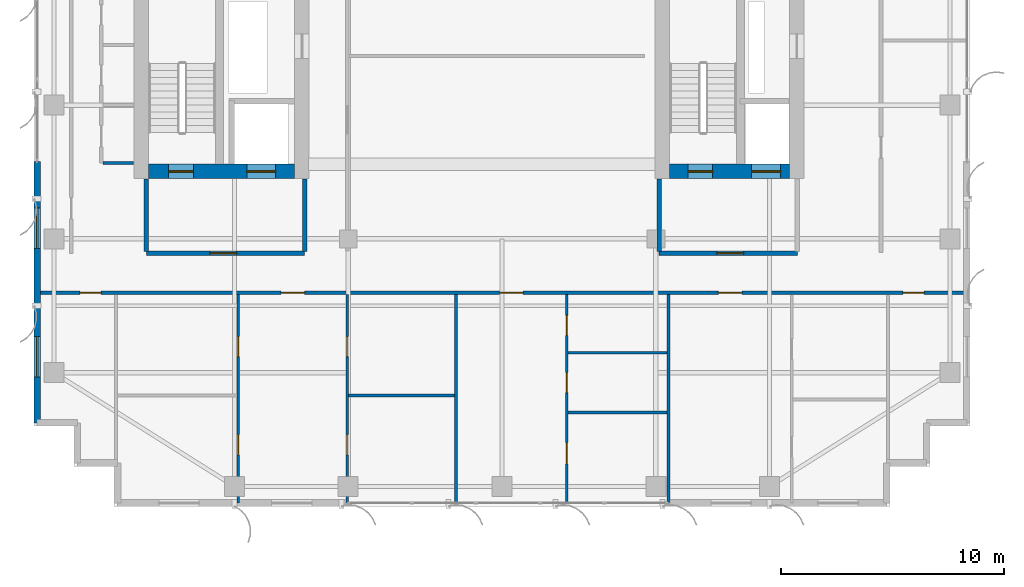
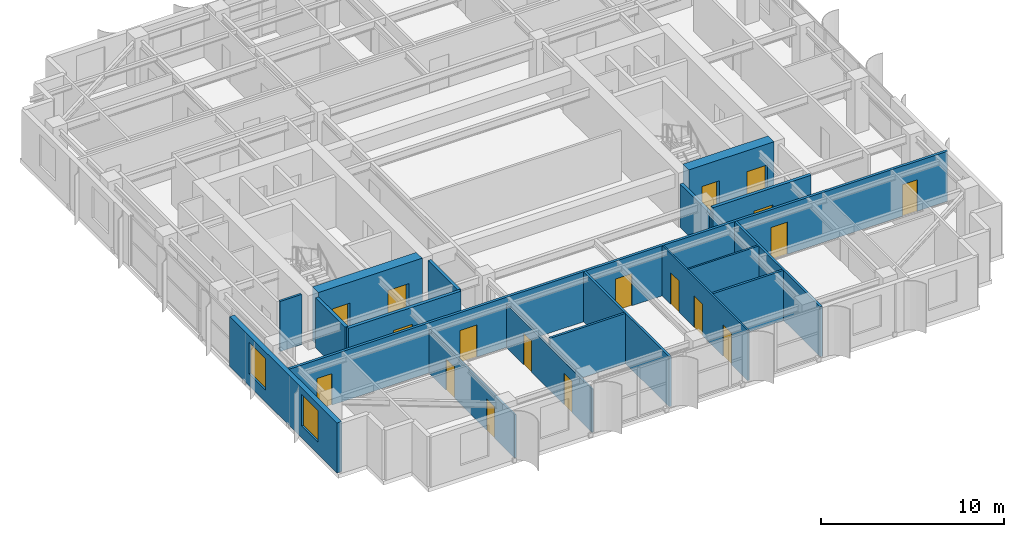
# One storey, part 19 of 25: 18 doors, 18 walls, 2 windows, 20 openings.
"""IFC4 building model written with IfcOpenShell, lengths in metres."""

from ifc_helpers import new_model, si_unit, direction, frame, frame_2d, origin, place, context, subcontext, project, spatial, rectangle, extrude, source, transform, mapped, material, layer, layer_set, type_object, element, fill, save


model = new_model("IFC4")

# Units and contexts
model_context = context("Model", 3, precision=1e-05, world=origin(), true_north=direction((0.0, 1.0)))
body_context = subcontext(model_context, "Body", "Model", "MODEL_VIEW")
ifc_project = project(units=[si_unit("LENGTHUNIT", "METRE"), si_unit("AREAUNIT", "SQUARE_METRE"), si_unit("VOLUMEUNIT", "CUBIC_METRE"), si_unit("PLANEANGLEUNIT", "RADIAN"), si_unit("MASSUNIT", "GRAM", prefix="KILO")], contexts=[model_context])

# Site, building, storey
site_placement = place(None, origin())
site = spatial("IfcSite", under=ifc_project, at=site_placement, CompositionType="ELEMENT")
building_placement = place(site_placement, origin())
building = spatial("IfcBuilding", under=site, at=building_placement, Name="Khoralis Quay Care Tower", CompositionType="ELEMENT")
storey_placement = place(building_placement, frame((0.0, 0.0, 166.5)))
storey = spatial("IfcBuildingStorey", under=building, at=storey_placement, Name="L43", CompositionType="ELEMENT", Elevation=166.5)

# Wall, opening, door
ifc_material_1 = material(Name="Gypsum plasterboard on acoustic metal stud")
ifc_layer_1 = layer(ifc_material_1, 0.199951171875)
ifc_layer_set_1 = layer_set([ifc_layer_1], Name="Gypsum plasterboard on acoustic metal stud")
wall_type_1 = type_object("IfcWallType", Name="WL-COMP-200", PredefinedType="PARTITIONING", material=ifc_layer_set_1)
wall_1_placement = place(storey_placement, frame((8.050048828125, 11.35009765625, 0.0), z_axis=(0.0, 0.0, 1.0), x_axis=(1.0, 0.0, 0.0)))
wall_1 = element("IfcWall", 1, at=wall_1_placement, inside=storey, type_object=wall_type_1, Name="L43 West Firefighting Lobby South Wall", PredefinedType="PARTITIONING", context=body_context, shape_type="SweptSolid", body=[
    extrude(rectangle(XDim=7.099853515625, YDim=0.199951171875, at=frame_2d((3.5498046875, 0.0))), origin(), (0.0, 0.0, 1.0), 3.340087890625),
])
opening_1_placement = place(wall_1_placement, frame((2.846435546875, 0.0, 0.0)))
opening_1 = element("IfcOpeningElement", 2, at=opening_1_placement, cuts=wall_1, Name="Opening FD1", PredefinedType="OPENING", context=body_context, shape_type="SweptSolid", body=[
    extrude(rectangle(XDim=1.199951171875, YDim=2.199951171875, at=frame_2d((0.60009765625, 1.10009765625))), frame((0.0, 0.10986328125, 0.0), z_axis=(0.0, -1.0, 0.0), x_axis=(1.0, 0.0, 0.0)), (0.0, 0.0, 1.0), 0.219970703125),
])
ifc_material_2 = material(Name="Fire-rated painted steel", Category="steel")
door_type_1 = type_object("IfcDoorType", Name="DR-FFL-1200X2200", OperationType="NOTDEFINED", PredefinedType="DOOR", material=ifc_material_2)
shared_shape_1 = source(origin(), body_context, "Body", "SweptSolid", [
    extrude(rectangle(XDim=1.199951171875, YDim=2.199951171875, at=frame_2d((0.60009765625, 1.10009765625))), frame((0.0, 0.02490234375, 0.0), z_axis=(0.0, -1.0, 0.0), x_axis=(1.0, 0.0, 0.0)), (0.0, 0.0, 1.0), 0.050048828125),
])
door_1_placement = place(opening_1_placement, origin())
door_1 = element("IfcDoor", 3, at=door_1_placement, inside=storey, type_object=door_type_1, Name="L43 West Firefighting Lobby Fire Door", OperationType="SINGLE_SWING_LEFT", OverallHeight=2.199951171875, OverallWidth=1.199951171875, PredefinedType="DOOR", context=body_context, shape_type="MappedRepresentation", body=[
    mapped(shared_shape_1, transform((0.0, 0.0, 0.0), scale=1.0)),
])
fill(opening_1, door_1)

# Walls
for number, where, z_axis, x_axis, name in (
    (4, (8.050048828125, 11.445068359375, 0.0), (0.0, 0.0, 1.0), (0.0, 1.0, 0.0), "L43 West Firefighting Lobby West Wall"),
    (5, (15.14990234375, 11.445068359375, 0.0), (0.0, 0.0, 1.0), (0.0, 1.0, 0.0), "L43 West Firefighting Lobby East Wall"),
):
    element("IfcWall", number, at=place(storey_placement, frame(where, z_axis=z_axis, x_axis=x_axis)), inside=storey, type_object=wall_type_1, Name=name, PredefinedType="PARTITIONING", context=body_context, shape_type="SweptSolid", body=[
        extrude(rectangle(XDim=3.23486328125, YDim=0.199951171875, at=frame_2d((1.617431640625, 0.0))), origin(), (0.0, 0.0, 1.0), 3.340087890625),
    ])

# Wall, opening, door
wall_2_placement = place(storey_placement, frame((31.050048828125, 11.35009765625, 0.0), z_axis=(0.0, 0.0, 1.0), x_axis=(1.0, 0.0, 0.0)))
wall_2 = element("IfcWall", 6, at=wall_2_placement, inside=storey, type_object=wall_type_1, Name="L43 East Firefighting Lobby South Wall", PredefinedType="PARTITIONING", context=body_context, shape_type="SweptSolid", body=[
    extrude(rectangle(XDim=6.199951171875, YDim=0.199951171875, at=frame_2d((3.10009765625, 0.0))), origin(), (0.0, 0.0, 1.0), 3.340087890625),
])
opening_2_placement = place(wall_2_placement, frame((2.585693359375, 0.0, 0.0)))
opening_2 = element("IfcOpeningElement", 7, at=opening_2_placement, cuts=wall_2, Name="Opening FD1", PredefinedType="OPENING", context=body_context, shape_type="SweptSolid", body=[
    extrude(rectangle(XDim=1.199951171875, YDim=2.199951171875, at=frame_2d((0.60009765625, 1.10009765625))), frame((0.0, 0.10986328125, 0.0), z_axis=(0.0, -1.0, 0.0), x_axis=(1.0, 0.0, 0.0)), (0.0, 0.0, 1.0), 0.219970703125),
])
door_2_placement = place(opening_2_placement, origin())
door_2 = element("IfcDoor", 8, at=door_2_placement, inside=storey, type_object=door_type_1, Name="L43 East Firefighting Lobby Fire Door", OperationType="SINGLE_SWING_RIGHT", OverallHeight=2.199951171875, OverallWidth=1.199951171875, PredefinedType="DOOR", context=body_context, shape_type="MappedRepresentation", body=[
    mapped(shared_shape_1, transform((0.0, 0.0, 0.0), scale=1.0)),
])
fill(opening_2, door_2)

# Wall
wall_3_placement = place(storey_placement, frame((31.050048828125, 11.445068359375, 0.0), z_axis=(0.0, 0.0, 1.0), x_axis=(0.0, 1.0, 0.0)))
element("IfcWall", 9, at=wall_3_placement, inside=storey, type_object=wall_type_1, Name="L43 East Firefighting Lobby West Wall", PredefinedType="PARTITIONING", context=body_context, shape_type="SweptSolid", body=[
    extrude(rectangle(XDim=3.23486328125, YDim=0.199951171875, at=frame_2d((1.617431640625, 0.0))), origin(), (0.0, 0.0, 1.0), 2.876953125),
])

# Wall, openings, doors
ifc_material_3 = material(Name="Concrete C65/80", Category="concrete")
ifc_layer_2 = layer(ifc_material_3, 0.64990234375)
ifc_layer_set_2 = layer_set([ifc_layer_2], Name="Concrete C65/80")
wall_type_2 = type_object("IfcWallType", Name="WL-CORE-650", PredefinedType="SHEAR", material=ifc_layer_set_2)
wall_4_placement = place(storey_placement, frame((8.14990234375, 15.02490234375, 0.0), z_axis=(0.0, 0.0, 1.0), x_axis=(1.0, 0.0, 0.0)))
wall_4 = element("IfcWall", 10, at=wall_4_placement, inside=storey, type_object=wall_type_2, Name="L43 WCORE South Shear Wall", PredefinedType="SHEAR", context=body_context, shape_type="SweptSolid", body=[
    extrude(rectangle(XDim=6.550048828125, YDim=0.64990234375, at=frame_2d((3.27490234375, 0.0))), origin(), (0.0, 0.0, 1.0), 3.60009765625),
])
opening_3_placement = place(wall_4_placement, frame((0.89990234375, 0.0, 0.0)))
opening_3 = element("IfcOpeningElement", 11, at=opening_3_placement, cuts=wall_4, Name="Opening SD1", PredefinedType="OPENING", context=body_context, shape_type="SweptSolid", body=[
    extrude(rectangle(XDim=1.10009765625, YDim=2.199951171875, at=frame_2d((0.550048828125, 1.10009765625))), frame((0.0, 0.3349609375, 0.0), z_axis=(0.0, -1.0, 0.0), x_axis=(1.0, 0.0, 0.0)), (0.0, 0.0, 1.0), 0.669921875),
])
opening_4_placement = place(wall_4_placement, frame((4.39990234375, 0.0, 0.0)))
opening_4 = element("IfcOpeningElement", 12, at=opening_4_placement, cuts=wall_4, Name="Opening LD2", PredefinedType="OPENING", context=body_context, shape_type="SweptSolid", body=[
    extrude(rectangle(XDim=1.300048828125, YDim=2.199951171875, at=frame_2d((0.64990234375, 1.10009765625))), frame((0.0, 0.3349609375, 0.0), z_axis=(0.0, -1.0, 0.0), x_axis=(1.0, 0.0, 0.0)), (0.0, 0.0, 1.0), 0.669921875),
])
door_type_2 = type_object("IfcDoorType", Name="DR-STAIR-1100X2200", OperationType="NOTDEFINED", PredefinedType="DOOR", material=ifc_material_2)
shared_shape_2 = source(origin(), body_context, "Body", "SweptSolid", [
    extrude(rectangle(XDim=1.10009765625, YDim=2.199951171875, at=frame_2d((0.550048828125, 1.10009765625))), frame((0.0, 0.02490234375, 0.0), z_axis=(0.0, -1.0, 0.0), x_axis=(1.0, 0.0, 0.0)), (0.0, 0.0, 1.0), 0.050048828125),
])
door_3_placement = place(opening_3_placement, origin())
door_3 = element("IfcDoor", 13, at=door_3_placement, inside=storey, type_object=door_type_2, Name="L43 Stair ST-T1 Fire Door", OperationType="SINGLE_SWING_LEFT", OverallHeight=2.199951171875, OverallWidth=1.10009765625, PredefinedType="DOOR", context=body_context, shape_type="MappedRepresentation", body=[
    mapped(shared_shape_2, transform((0.0, 0.0, 0.0), scale=1.0)),
])
fill(opening_3, door_3)
ifc_material_4 = material(Name="Brushed stainless steel", Category="steel")
door_type_3 = type_object("IfcDoorType", Name="DR-LIFT-1300X2200", OperationType="SLIDING_TO_RIGHT", PredefinedType="DOOR", material=ifc_material_4)
shared_shape_3 = source(origin(), body_context, "Body", "SweptSolid", [
    extrude(rectangle(XDim=1.300048828125, YDim=2.199951171875, at=frame_2d((0.64990234375, 1.10009765625))), frame((0.0, 0.02490234375, 0.0), z_axis=(0.0, -1.0, 0.0), x_axis=(1.0, 0.0, 0.0)), (0.0, 0.0, 1.0), 0.050048828125),
])
door_4_placement = place(opening_4_placement, origin())
door_4 = element("IfcDoor", 14, at=door_4_placement, inside=storey, type_object=door_type_3, Name="L43 Firefighting Lift FFL-1 Landing Door", OperationType="SLIDING_TO_RIGHT", OverallHeight=2.199951171875, OverallWidth=1.300048828125, PredefinedType="DOOR", context=body_context, shape_type="MappedRepresentation", body=[
    mapped(shared_shape_3, transform((0.0, 0.0, 0.0), scale=1.0)),
])
fill(opening_4, door_4)

wall_5_placement = place(storey_placement, frame((31.52001953125, 15.02490234375, 0.0), z_axis=(0.0, 0.0, 1.0), x_axis=(1.0, 0.0, 0.0)))
wall_5 = element("IfcWall", 15, at=wall_5_placement, inside=storey, type_object=wall_type_2, Name="L43 ECORE South Shear Wall", PredefinedType="SHEAR", context=body_context, shape_type="SweptSolid", body=[
    extrude(rectangle(XDim=5.3798828125, YDim=0.64990234375, at=frame_2d((2.68994140625, 0.0))), origin(), (0.0, 0.0, 1.0), 3.60009765625),
])
opening_5_placement = place(wall_5_placement, frame((0.830078125, 0.0, 0.0)))
opening_5 = element("IfcOpeningElement", 16, at=opening_5_placement, cuts=wall_5, Name="Opening SD1", PredefinedType="OPENING", context=body_context, shape_type="SweptSolid", body=[
    extrude(rectangle(XDim=1.10009765625, YDim=2.199951171875, at=frame_2d((0.550048828125, 1.10009765625))), frame((0.0, 0.3349609375, 0.0), z_axis=(0.0, -1.0, 0.0), x_axis=(1.0, 0.0, 0.0)), (0.0, 0.0, 1.0), 0.669921875),
])
opening_6_placement = place(wall_5_placement, frame((3.679931640625, 0.0, 0.0)))
opening_6 = element("IfcOpeningElement", 17, at=opening_6_placement, cuts=wall_5, Name="Opening LD2", PredefinedType="OPENING", context=body_context, shape_type="SweptSolid", body=[
    extrude(rectangle(XDim=1.300048828125, YDim=2.199951171875, at=frame_2d((0.64990234375, 1.10009765625))), frame((0.0, 0.3349609375, 0.0), z_axis=(0.0, -1.0, 0.0), x_axis=(1.0, 0.0, 0.0)), (0.0, 0.0, 1.0), 0.669921875),
])
door_5_placement = place(opening_5_placement, origin())
door_5 = element("IfcDoor", 18, at=door_5_placement, inside=storey, type_object=door_type_2, Name="L43 Stair ST-T2 Fire Door", OperationType="SINGLE_SWING_RIGHT", OverallHeight=2.199951171875, OverallWidth=1.10009765625, PredefinedType="DOOR", context=body_context, shape_type="MappedRepresentation", body=[
    mapped(shared_shape_2, transform((0.0, 0.0, 0.0), scale=1.0)),
])
fill(opening_5, door_5)
door_6_placement = place(opening_6_placement, origin())
door_6 = element("IfcDoor", 19, at=door_6_placement, inside=storey, type_object=door_type_3, Name="L43 Firefighting Lift FFL-2 Landing Door", OperationType="SLIDING_TO_RIGHT", OverallHeight=2.199951171875, OverallWidth=1.300048828125, PredefinedType="DOOR", context=body_context, shape_type="MappedRepresentation", body=[
    mapped(shared_shape_3, transform((0.0, 0.0, 0.0), scale=1.0)),
])
fill(opening_6, door_6)

ifc_layer_3 = layer(ifc_material_1, 0.1650390625)
ifc_layer_set_3 = layer_set([ifc_layer_3], Name="Gypsum plasterboard on acoustic metal stud")
wall_type_3 = type_object("IfcWallType", Name="WL-CORR-165", PredefinedType="PARTITIONING", material=ifc_layer_set_3)
wall_6_placement = place(storey_placement, frame((3.14501953125, 9.580078125, 0.0), z_axis=(0.0, 0.0, 1.0), x_axis=(1.0, 0.0, 0.0)))
wall_6 = element("IfcWall", 20, at=wall_6_placement, inside=storey, type_object=wall_type_3, Name="L43 South Main Corridor Wall", PredefinedType="PARTITIONING", context=body_context, shape_type="SweptSolid", body=[
    extrude(rectangle(XDim=41.7099609375, YDim=0.1650390625, at=frame_2d((20.85498046875, 0.0))), origin(), (0.0, 0.0, 1.0), 3.340087890625),
])
opening_7_placement = place(wall_6_placement, frame((10.945556640625, 0.0, 0.0)))
opening_7 = element("IfcOpeningElement", 21, at=opening_7_placement, cuts=wall_6, Name="Opening UD1", PredefinedType="OPENING", context=body_context, shape_type="SweptSolid", body=[
    extrude(rectangle(XDim=1.050048828125, YDim=2.14990234375, at=frame_2d((0.52490234375, 1.074951171875))), frame((0.0, 0.092529296875, 0.0), z_axis=(0.0, -1.0, 0.0), x_axis=(1.0, 0.0, 0.0)), (0.0, 0.0, 1.0), 0.18505859375),
])
opening_8_placement = place(wall_6_placement, frame((20.748046875, 0.0, 0.0)))
opening_8 = element("IfcOpeningElement", 22, at=opening_8_placement, cuts=wall_6, Name="Opening UD1", PredefinedType="OPENING", context=body_context, shape_type="SweptSolid", body=[
    extrude(rectangle(XDim=1.050048828125, YDim=2.14990234375, at=frame_2d((0.52490234375, 1.074951171875))), frame((0.0, 0.092529296875, 0.0), z_axis=(0.0, -1.0, 0.0), x_axis=(1.0, 0.0, 0.0)), (0.0, 0.0, 1.0), 0.18505859375),
])
opening_9_placement = place(wall_6_placement, frame((30.55810546875, 0.0, 0.0)))
opening_9 = element("IfcOpeningElement", 23, at=opening_9_placement, cuts=wall_6, Name="Opening UD1", PredefinedType="OPENING", context=body_context, shape_type="SweptSolid", body=[
    extrude(rectangle(XDim=1.050048828125, YDim=2.14990234375, at=frame_2d((0.52490234375, 1.074951171875))), frame((0.0, 0.092529296875, 0.0), z_axis=(0.0, -1.0, 0.0), x_axis=(1.0, 0.0, 0.0)), (0.0, 0.0, 1.0), 0.18505859375),
])
opening_10_placement = place(wall_6_placement, frame((1.919921875, 0.0, 0.0)))
opening_10 = element("IfcOpeningElement", 24, at=opening_10_placement, cuts=wall_6, Name="Opening ID1", PredefinedType="OPENING", context=body_context, shape_type="SweptSolid", body=[
    extrude(rectangle(XDim=0.949951171875, YDim=2.10009765625, at=frame_2d((0.47509765625, 1.050048828125))), frame((0.0, 0.092529296875, 0.0), z_axis=(0.0, -1.0, 0.0), x_axis=(1.0, 0.0, 0.0)), (0.0, 0.0, 1.0), 0.18505859375),
])
opening_11_placement = place(wall_6_placement, frame((38.840087890625, 0.0, 0.0)))
opening_11 = element("IfcOpeningElement", 25, at=opening_11_placement, cuts=wall_6, Name="Opening ID1", PredefinedType="OPENING", context=body_context, shape_type="SweptSolid", body=[
    extrude(rectangle(XDim=0.949951171875, YDim=2.10009765625, at=frame_2d((0.47509765625, 1.050048828125))), frame((0.0, 0.092529296875, 0.0), z_axis=(0.0, -1.0, 0.0), x_axis=(1.0, 0.0, 0.0)), (0.0, 0.0, 1.0), 0.18505859375),
])
ifc_material_5 = material(Name="Acoustic hardwood timber", Category="wood")
door_type_4 = type_object("IfcDoorType", Name="DR-ROOM-950X2100", OperationType="NOTDEFINED", PredefinedType="DOOR", material=ifc_material_5)
shared_shape_4 = source(origin(), body_context, "Body", "SweptSolid", [
    extrude(rectangle(XDim=0.949951171875, YDim=2.10009765625, at=frame_2d((0.47509765625, 1.050048828125))), frame((0.0, 0.02490234375, 0.0), z_axis=(0.0, -1.0, 0.0), x_axis=(1.0, 0.0, 0.0)), (0.0, 0.0, 1.0), 0.050048828125),
])
door_7_placement = place(opening_10_placement, frame((0.949951171875, 0.0, 0.0), z_axis=(0.0, 0.0, 1.0), x_axis=(-1.0, 0.0, 0.0)))
door_7 = element("IfcDoor", 26, at=door_7_placement, inside=storey, type_object=door_type_4, Name="L43 SW Corner Door", OperationType="SINGLE_SWING_LEFT", OverallHeight=2.10009765625, OverallWidth=0.949951171875, PredefinedType="DOOR", context=body_context, shape_type="MappedRepresentation", body=[
    mapped(shared_shape_4, transform((0.0, 0.0, 0.0), scale=1.0)),
])
fill(opening_10, door_7)
door_8_placement = place(opening_11_placement, frame((0.949951171875, 0.0, 0.0), z_axis=(0.0, 0.0, 1.0), x_axis=(-1.0, 0.0, 0.0)))
door_8 = element("IfcDoor", 27, at=door_8_placement, inside=storey, type_object=door_type_4, Name="L43 SE Corner Door", OperationType="SINGLE_SWING_RIGHT", OverallHeight=2.10009765625, OverallWidth=0.949951171875, PredefinedType="DOOR", context=body_context, shape_type="MappedRepresentation", body=[
    mapped(shared_shape_4, transform((0.0, 0.0, 0.0), scale=1.0)),
])
fill(opening_11, door_8)
door_type_5 = type_object("IfcDoorType", Name="DR-SUITE-1050X2150", OperationType="NOTDEFINED", PredefinedType="DOOR", material=ifc_material_5)
shared_shape_5 = source(origin(), body_context, "Body", "SweptSolid", [
    extrude(rectangle(XDim=1.050048828125, YDim=2.14990234375, at=frame_2d((0.52490234375, 1.074951171875))), frame((0.0, 0.02490234375, 0.0), z_axis=(0.0, -1.0, 0.0), x_axis=(1.0, 0.0, 0.0)), (0.0, 0.0, 1.0), 0.050048828125),
])
door_9_placement = place(opening_7_placement, frame((1.050048828125, 0.0, 0.0), z_axis=(0.0, 0.0, 1.0), x_axis=(-1.0, 0.0, 0.0)))
door_9 = element("IfcDoor", 28, at=door_9_placement, inside=storey, type_object=door_type_5, Name="L43 2BR SB0 Entrance", OperationType="SINGLE_SWING_LEFT", OverallHeight=2.14990234375, OverallWidth=1.050048828125, PredefinedType="DOOR", context=body_context, shape_type="MappedRepresentation", body=[
    mapped(shared_shape_5, transform((0.0, 0.0, 0.0), scale=1.0)),
])
fill(opening_7, door_9)
door_10_placement = place(opening_8_placement, frame((1.050048828125, 0.0, 0.0), z_axis=(0.0, 0.0, 1.0), x_axis=(-1.0, 0.0, 0.0)))
door_10 = element("IfcDoor", 29, at=door_10_placement, inside=storey, type_object=door_type_5, Name="L43 Apartment SB1 Entrance Door", OperationType="SINGLE_SWING_RIGHT", OverallHeight=2.14990234375, OverallWidth=1.050048828125, PredefinedType="DOOR", context=body_context, shape_type="MappedRepresentation", body=[
    mapped(shared_shape_5, transform((0.0, 0.0, 0.0), scale=1.0)),
])
fill(opening_8, door_10)
door_11_placement = place(opening_9_placement, frame((1.050048828125, 0.0, 0.0), z_axis=(0.0, 0.0, 1.0), x_axis=(-1.0, 0.0, 0.0)))
door_11 = element("IfcDoor", 30, at=door_11_placement, inside=storey, type_object=door_type_5, Name="L43 Studio SB2 Entrance", OperationType="SINGLE_SWING_LEFT", OverallHeight=2.14990234375, OverallWidth=1.050048828125, PredefinedType="DOOR", context=body_context, shape_type="MappedRepresentation", body=[
    mapped(shared_shape_5, transform((0.0, 0.0, 0.0), scale=1.0)),
])
fill(opening_9, door_11)

# Wall, openings, windows
ifc_material_6 = material(Name="Precast concrete C45/55", Category="concrete")
ifc_layer_4 = layer(ifc_material_6, 0.300048828125)
ifc_layer_set_4 = layer_set([ifc_layer_4], Name="Precast concrete C45/55")
wall_type_4 = type_object("IfcWallType", Name="WL-EXT-REF-300", PredefinedType="SOLIDWALL", material=ifc_layer_set_4)
wall_7_placement = place(storey_placement, frame((3.14990234375, 15.47998046875, 0.0), z_axis=(0.0, 0.0, 1.0), x_axis=(0.0, -1.0, 0.0)))
wall_7 = element("IfcWall", 31, at=wall_7_placement, inside=storey, type_object=wall_type_4, Name="L43 External Facade Wall WL-EXT-L43-P1-E15B", PredefinedType="SOLIDWALL", context=body_context, shape_type="SweptSolid", body=[
    extrude(rectangle(XDim=11.72998046875, YDim=0.300048828125, at=frame_2d((5.864990234375, 0.0))), origin(), (0.0, 0.0, 1.0), 3.340087890625),
])
opening_12_placement = place(wall_7_placement, frame((2.10009765625, 0.0, 0.800048828125)))
opening_12 = element("IfcOpeningElement", 32, at=opening_12_placement, cuts=wall_7, Name="Opening W2", PredefinedType="OPENING", context=body_context, shape_type="SweptSolid", body=[
    extrude(rectangle(XDim=1.800048828125, YDim=2.10009765625, at=frame_2d((0.89990234375, 1.050048828125))), frame((0.0, 0.16015625, 0.0), z_axis=(0.0, -1.0, 0.0), x_axis=(1.0, 0.0, 0.0)), (0.0, 0.0, 1.0), 0.320068359375),
])
opening_13_placement = place(wall_7_placement, frame((7.864990234375, 0.0, 0.800048828125)))
opening_13 = element("IfcOpeningElement", 33, at=opening_13_placement, cuts=wall_7, Name="Opening W2", PredefinedType="OPENING", context=body_context, shape_type="SweptSolid", body=[
    extrude(rectangle(XDim=1.800048828125, YDim=2.10009765625, at=frame_2d((0.89990234375, 1.050048828125))), frame((0.0, 0.16015625, 0.0), z_axis=(0.0, -1.0, 0.0), x_axis=(1.0, 0.0, 0.0)), (0.0, 0.0, 1.0), 0.320068359375),
])
ifc_material_7 = material(Name="Low-E solar-control double glazing", Category="glass")
window_type = type_object("IfcWindowType", Name="WN-POD-1800X2100", PartitioningType="SINGLE_PANEL", PredefinedType="WINDOW", material=ifc_material_7)
shared_shape_6 = source(origin(), body_context, "Body", "SweptSolid", [
    extrude(rectangle(XDim=1.800048828125, YDim=2.10009765625, at=frame_2d((0.89990234375, 1.050048828125))), frame((0.0, 0.030029296875, 0.0), z_axis=(0.0, -1.0, 0.0), x_axis=(1.0, 0.0, 0.0)), (0.0, 0.0, 1.0), 0.06005859375),
])
window_1_placement = place(opening_12_placement, origin())
window_1 = element("IfcWindow", 34, at=window_1_placement, inside=storey, type_object=window_type, Name="WN-L43-P1-E15B Facade Window 01", OverallHeight=2.10009765625, OverallWidth=1.800048828125, PartitioningType="SINGLE_PANEL", PredefinedType="WINDOW", context=body_context, shape_type="MappedRepresentation", body=[
    mapped(shared_shape_6, transform((0.0, 0.0, 0.0), scale=1.0)),
])
fill(opening_12, window_1)
window_2_placement = place(opening_13_placement, origin())
window_2 = element("IfcWindow", 35, at=window_2_placement, inside=storey, type_object=window_type, Name="WN-L43-P1-E15B Facade Window 02", OverallHeight=2.10009765625, OverallWidth=1.800048828125, PartitioningType="SINGLE_PANEL", PredefinedType="WINDOW", context=body_context, shape_type="MappedRepresentation", body=[
    mapped(shared_shape_6, transform((0.0, 0.0, 0.0), scale=1.0)),
])
fill(opening_13, window_2)

# Wall, openings, doors
ifc_layer_5 = layer(ifc_material_1, 0.114990234375)
ifc_layer_set_5 = layer_set([ifc_layer_5], Name="Gypsum plasterboard on acoustic metal stud")
wall_type_5 = type_object("IfcWallType", Name="WL-PART-115", PredefinedType="PARTITIONING", material=ifc_layer_set_5)
wall_8_placement = place(storey_placement, frame((12.174072265625, 0.14501953125, 0.0), z_axis=(0.0, 0.0, 1.0), x_axis=(0.0, 1.0, 0.0)))
wall_8 = element("IfcWall", 36, at=wall_8_placement, inside=storey, type_object=wall_type_5, Name="L43 2BR 0 Left Wall", PredefinedType="PARTITIONING", context=body_context, shape_type="SweptSolid", body=[
    extrude(rectangle(XDim=9.357421875, YDim=0.114990234375, at=frame_2d((4.6787109375, 0.0))), origin(), (0.0, 0.0, 1.0), 2.876953125),
])
opening_14_placement = place(wall_8_placement, frame((2.1708984375, 0.0, 0.0)))
opening_14 = element("IfcOpeningElement", 37, at=opening_14_placement, cuts=wall_8, Name="Opening WD1", PredefinedType="OPENING", context=body_context, shape_type="SweptSolid", body=[
    extrude(rectangle(XDim=0.89990234375, YDim=2.10009765625, at=frame_2d((0.449951171875, 1.050048828125))), frame((0.0, 0.0673828125, 0.0), z_axis=(0.0, -1.0, 0.0), x_axis=(1.0, 0.0, 0.0)), (0.0, 0.0, 1.0), 0.135009765625),
])
opening_15_placement = place(wall_8_placement, frame((6.571044921875, 0.0, 0.0)))
opening_15 = element("IfcOpeningElement", 38, at=opening_15_placement, cuts=wall_8, Name="Opening WD1", PredefinedType="OPENING", context=body_context, shape_type="SweptSolid", body=[
    extrude(rectangle(XDim=0.89990234375, YDim=2.10009765625, at=frame_2d((0.449951171875, 1.050048828125))), frame((0.0, 0.0673828125, 0.0), z_axis=(0.0, -1.0, 0.0), x_axis=(1.0, 0.0, 0.0)), (0.0, 0.0, 1.0), 0.135009765625),
])
door_type_6 = type_object("IfcDoorType", Name="DR-BATH-900X2100", OperationType="NOTDEFINED", PredefinedType="DOOR", material=ifc_material_5)
shared_shape_7 = source(origin(), body_context, "Body", "SweptSolid", [
    extrude(rectangle(XDim=0.89990234375, YDim=2.10009765625, at=frame_2d((0.449951171875, 1.050048828125))), frame((0.0, 0.02490234375, 0.0), z_axis=(0.0, -1.0, 0.0), x_axis=(1.0, 0.0, 0.0)), (0.0, 0.0, 1.0), 0.050048828125),
])
door_12_placement = place(opening_14_placement, origin())
door_12 = element("IfcDoor", 39, at=door_12_placement, inside=storey, type_object=door_type_6, Name="L43 2BR BD1 Door", OperationType="SINGLE_SWING_RIGHT", OverallHeight=2.10009765625, OverallWidth=0.89990234375, PredefinedType="DOOR", context=body_context, shape_type="MappedRepresentation", body=[
    mapped(shared_shape_7, transform((0.0, 0.0, 0.0), scale=1.0)),
])
fill(opening_14, door_12)
door_13_placement = place(opening_15_placement, origin())
door_13 = element("IfcDoor", 40, at=door_13_placement, inside=storey, type_object=door_type_6, Name="L43 2BR BTH Door", OperationType="SINGLE_SWING_LEFT", OverallHeight=2.10009765625, OverallWidth=0.89990234375, PredefinedType="DOOR", context=body_context, shape_type="MappedRepresentation", body=[
    mapped(shared_shape_7, transform((0.0, 0.0, 0.0), scale=1.0)),
])
fill(opening_15, door_13)

wall_9_placement = place(storey_placement, frame((17.056884765625, 0.14501953125, 0.0), z_axis=(0.0, 0.0, 1.0), x_axis=(0.0, 1.0, 0.0)))
wall_9 = element("IfcWall", 41, at=wall_9_placement, inside=storey, type_object=wall_type_5, Name="L43 2BR 0 Right Wall", PredefinedType="PARTITIONING", context=body_context, shape_type="SweptSolid", body=[
    extrude(rectangle(XDim=9.357421875, YDim=0.114990234375, at=frame_2d((4.6787109375, 0.0))), origin(), (0.0, 0.0, 1.0), 2.876953125),
])
opening_16_placement = place(wall_9_placement, frame((2.1708984375, 0.0, 0.0)))
opening_16 = element("IfcOpeningElement", 42, at=opening_16_placement, cuts=wall_9, Name="Opening WD1", PredefinedType="OPENING", context=body_context, shape_type="SweptSolid", body=[
    extrude(rectangle(XDim=0.89990234375, YDim=2.10009765625, at=frame_2d((0.449951171875, 1.050048828125))), frame((0.0, 0.0673828125, 0.0), z_axis=(0.0, -1.0, 0.0), x_axis=(1.0, 0.0, 0.0)), (0.0, 0.0, 1.0), 0.135009765625),
])
opening_17_placement = place(wall_9_placement, frame((6.571044921875, 0.0, 0.0)))
opening_17 = element("IfcOpeningElement", 43, at=opening_17_placement, cuts=wall_9, Name="Opening WD1", PredefinedType="OPENING", context=body_context, shape_type="SweptSolid", body=[
    extrude(rectangle(XDim=0.89990234375, YDim=2.10009765625, at=frame_2d((0.449951171875, 1.050048828125))), frame((0.0, 0.0673828125, 0.0), z_axis=(0.0, -1.0, 0.0), x_axis=(1.0, 0.0, 0.0)), (0.0, 0.0, 1.0), 0.135009765625),
])
door_14_placement = place(opening_16_placement, frame((0.89990234375, 0.0, 0.0), z_axis=(0.0, 0.0, 1.0), x_axis=(-1.0, 0.0, 0.0)))
door_14 = element("IfcDoor", 44, at=door_14_placement, inside=storey, type_object=door_type_6, Name="L43 2BR BD2 Door", OperationType="SINGLE_SWING_RIGHT", OverallHeight=2.10009765625, OverallWidth=0.89990234375, PredefinedType="DOOR", context=body_context, shape_type="MappedRepresentation", body=[
    mapped(shared_shape_7, transform((0.0, 0.0, 0.0), scale=1.0)),
])
fill(opening_16, door_14)
door_15_placement = place(opening_17_placement, frame((0.89990234375, 0.0, 0.0), z_axis=(0.0, 0.0, 1.0), x_axis=(-1.0, 0.0, 0.0)))
door_15 = element("IfcDoor", 45, at=door_15_placement, inside=storey, type_object=door_type_6, Name="L43 2BR KIT Door", OperationType="SINGLE_SWING_LEFT", OverallHeight=2.10009765625, OverallWidth=0.89990234375, PredefinedType="DOOR", context=body_context, shape_type="MappedRepresentation", body=[
    mapped(shared_shape_7, transform((0.0, 0.0, 0.0), scale=1.0)),
])
fill(opening_17, door_15)

wall_10_placement = place(storey_placement, frame((26.89599609375, 0.14501953125, 0.0), z_axis=(0.0, 0.0, 1.0), x_axis=(0.0, 1.0, 0.0)))
wall_10 = element("IfcWall", 46, at=wall_10_placement, inside=storey, type_object=wall_type_5, Name="L43 Unit 1 Internal Wall", PredefinedType="PARTITIONING", context=body_context, shape_type="SweptSolid", body=[
    extrude(rectangle(XDim=9.357421875, YDim=0.114990234375, at=frame_2d((4.6787109375, 0.0))), origin(), (0.0, 0.0, 1.0), 3.340087890625),
])
opening_18_placement = place(wall_10_placement, frame((1.762451171875, 0.0, 0.0)))
opening_18 = element("IfcOpeningElement", 47, at=opening_18_placement, cuts=wall_10, Name="Opening ID1", PredefinedType="OPENING", context=body_context, shape_type="SweptSolid", body=[
    extrude(rectangle(XDim=0.949951171875, YDim=2.10009765625, at=frame_2d((0.47509765625, 1.050048828125))), frame((0.0, 0.0673828125, 0.0), z_axis=(0.0, -1.0, 0.0), x_axis=(1.0, 0.0, 0.0)), (0.0, 0.0, 1.0), 0.135009765625),
])
opening_19_placement = place(wall_10_placement, frame((4.9609375, 0.0, 0.0)))
opening_19 = element("IfcOpeningElement", 48, at=opening_19_placement, cuts=wall_10, Name="Opening WD1", PredefinedType="OPENING", context=body_context, shape_type="SweptSolid", body=[
    extrude(rectangle(XDim=0.89990234375, YDim=2.10009765625, at=frame_2d((0.449951171875, 1.050048828125))), frame((0.0, 0.0673828125, 0.0), z_axis=(0.0, -1.0, 0.0), x_axis=(1.0, 0.0, 0.0)), (0.0, 0.0, 1.0), 0.135009765625),
])
opening_20_placement = place(wall_10_placement, frame((7.528564453125, 0.0, 0.0)))
opening_20 = element("IfcOpeningElement", 49, at=opening_20_placement, cuts=wall_10, Name="Opening WD1", PredefinedType="OPENING", context=body_context, shape_type="SweptSolid", body=[
    extrude(rectangle(XDim=0.89990234375, YDim=2.10009765625, at=frame_2d((0.449951171875, 1.050048828125))), frame((0.0, 0.0673828125, 0.0), z_axis=(0.0, -1.0, 0.0), x_axis=(1.0, 0.0, 0.0)), (0.0, 0.0, 1.0), 0.135009765625),
])
door_16_placement = place(opening_19_placement, frame((0.89990234375, 0.0, 0.0), z_axis=(0.0, 0.0, 1.0), x_axis=(-1.0, 0.0, 0.0)))
door_16 = element("IfcDoor", 50, at=door_16_placement, inside=storey, type_object=door_type_6, Name="L43 Apartment SB1 KIT Door", OperationType="SINGLE_SWING_RIGHT", OverallHeight=2.10009765625, OverallWidth=0.89990234375, PredefinedType="DOOR", context=body_context, shape_type="MappedRepresentation", body=[
    mapped(shared_shape_7, transform((0.0, 0.0, 0.0), scale=1.0)),
])
fill(opening_19, door_16)
door_17_placement = place(opening_20_placement, frame((0.89990234375, 0.0, 0.0), z_axis=(0.0, 0.0, 1.0), x_axis=(-1.0, 0.0, 0.0)))
door_17 = element("IfcDoor", 51, at=door_17_placement, inside=storey, type_object=door_type_6, Name="L43 Apartment SB1 BTH Door", OperationType="SINGLE_SWING_LEFT", OverallHeight=2.10009765625, OverallWidth=0.89990234375, PredefinedType="DOOR", context=body_context, shape_type="MappedRepresentation", body=[
    mapped(shared_shape_7, transform((0.0, 0.0, 0.0), scale=1.0)),
])
fill(opening_20, door_17)
door_18_placement = place(opening_18_placement, frame((0.949951171875, 0.0, 0.0), z_axis=(0.0, 0.0, 1.0), x_axis=(-1.0, 0.0, 0.0)))
door_18 = element("IfcDoor", 52, at=door_18_placement, inside=storey, type_object=door_type_4, Name="L43 Apartment SB1 BED Door", OperationType="SINGLE_SWING_LEFT", OverallHeight=2.10009765625, OverallWidth=0.949951171875, PredefinedType="DOOR", context=body_context, shape_type="MappedRepresentation", body=[
    mapped(shared_shape_4, transform((0.0, 0.0, 0.0), scale=1.0)),
])
fill(opening_18, door_18)

# Walls
wall_11_placement = place(storey_placement, frame((26.948486328125, 6.89697265625, 0.0), z_axis=(0.0, 0.0, 1.0), x_axis=(1.0, 0.0, 0.0)))
element("IfcWall", 53, at=wall_11_placement, inside=storey, type_object=wall_type_5, Name="L43 Unit 1 Kitchen Wall", PredefinedType="PARTITIONING", context=body_context, shape_type="SweptSolid", body=[
    extrude(rectangle(XDim=4.45654296875, YDim=0.114990234375, at=frame_2d((2.228271484375, 0.0))), origin(), (0.0, 0.0, 1.0), 3.340087890625),
])
ifc_material_8 = material(Name="Moisture-resistant gypsum and ceramic tile")
ifc_layer_6 = layer(ifc_material_8, 0.280029296875)
ifc_layer_set_6 = layer_set([ifc_layer_6], Name="Moisture-resistant gypsum and ceramic tile")
wall_type_6 = type_object("IfcWallType", Name="WL-PLUMB-280", PredefinedType="PLUMBINGWALL", material=ifc_layer_set_6)
wall_12_placement = place(storey_placement, frame((17.109619140625, 4.98193359375, 0.0), z_axis=(0.0, 0.0, 1.0), x_axis=(1.0, 0.0, 0.0)))
element("IfcWall", 54, at=wall_12_placement, inside=storey, type_object=wall_type_6, Name="L43 2BR 0 Right Split", PredefinedType="PLUMBINGWALL", context=body_context, shape_type="SweptSolid", body=[
    extrude(rectangle(XDim=4.765380859375, YDim=0.139892578125, at=frame_2d((2.3828125, 0.0))), origin(), (0.0, 0.0, 1.0), 3.340087890625),
])
wall_13_placement = place(storey_placement, frame((26.948486328125, 4.215087890625, 0.0), z_axis=(0.0, 0.0, 1.0), x_axis=(1.0, 0.0, 0.0)))
element("IfcWall", 55, at=wall_13_placement, inside=storey, type_object=wall_type_6, Name="L43 Unit 1 Wet Wall", PredefinedType="PLUMBINGWALL", context=body_context, shape_type="SweptSolid", body=[
    extrude(rectangle(XDim=4.45654296875, YDim=0.139892578125, at=frame_2d((2.228271484375, 0.0))), origin(), (0.0, 0.0, 1.0), 3.340087890625),
])
ifc_layer_7 = layer(ifc_material_1, 0.139892578125)
ifc_layer_set_7 = layer_set([ifc_layer_7], Name="Gypsum plasterboard on acoustic metal stud")
wall_type_7 = type_object("IfcWallType", Name="WL-UNIT-140", PredefinedType="PARTITIONING", material=ifc_layer_set_7)
wall_14_placement = place(storey_placement, frame((6.097412109375, 15.39990234375, 0.0), z_axis=(0.0, 0.0, 1.0), x_axis=(1.0, 0.0, 0.0)))
element("IfcWall", 56, at=wall_14_placement, inside=storey, type_object=wall_type_7, Name="L43 West Flank South Cap", PredefinedType="PARTITIONING", context=body_context, shape_type="SweptSolid", body=[
    extrude(rectangle(XDim=1.362548828125, YDim=0.139892578125, at=frame_2d((0.68115234375, 0.0))), origin(), (0.0, 0.0, 1.0), 3.340087890625),
])
for number, where, z_axis, x_axis, name in (
    (57, (21.93994140625, 0.14501953125, 0.0), (0.0, 0.0, 1.0), (0.0, 1.0, 0.0), "L43 SB Demising Wall 1"),
    (58, (31.469970703125, 0.14501953125, 0.0), (0.0, 0.0, 1.0), (0.0, 1.0, 0.0), "L43 SB Demising Wall 2"),
):
    element("IfcWall", number, at=place(storey_placement, frame(where, z_axis=z_axis, x_axis=x_axis)), inside=storey, type_object=wall_type_7, Name=name, PredefinedType="PARTITIONING", context=body_context, shape_type="SweptSolid", body=[
        extrude(rectangle(XDim=9.357421875, YDim=0.139892578125, at=frame_2d((4.6787109375, 0.0))), origin(), (0.0, 0.0, 1.0), 3.340087890625),
    ])

save(model, "model.ifc")
